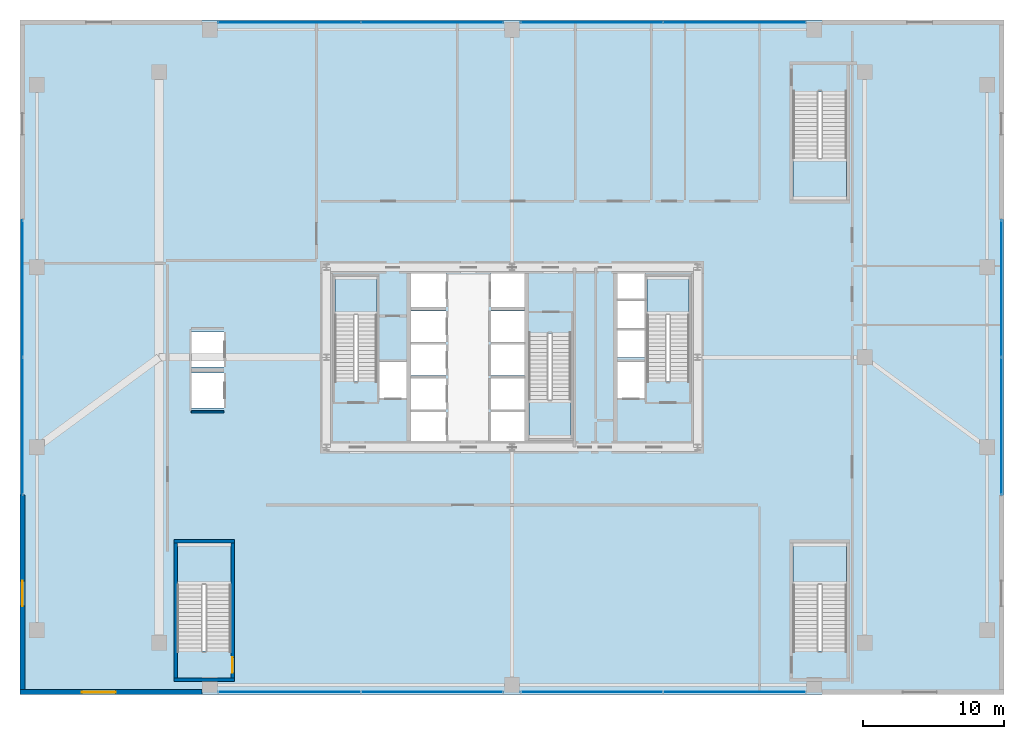
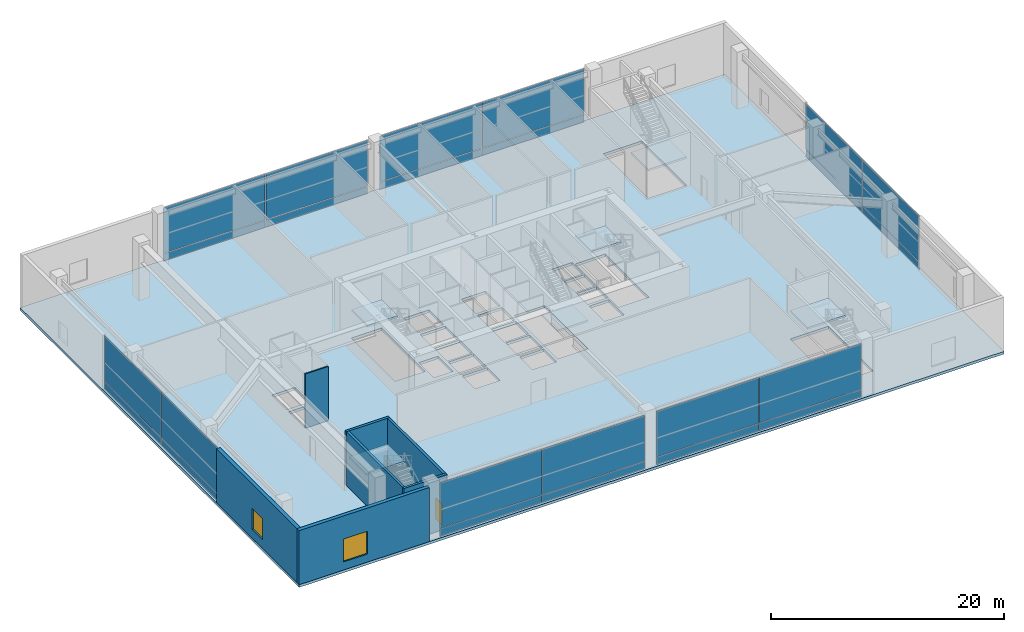
# One storey, part 32 of 39: 24 plates, 7 slabs, 7 walls, 2 windows, 1 door, 3 openings, 12 elements without a shape of their own.
"""IFC4 building model written with IfcOpenShell, lengths in metres."""

from ifc_helpers import new_model, si_unit, direction, frame, frame_2d, origin, origin_2d, place, context, subcontext, project, spatial, polyline, rectangle, outline, extrude, source, transform, mapped, material, layer, layer_set, type_object, element, fill, aggregate, save


model = new_model("IFC4")

# Units and contexts
model_context = context("Model", 3, precision=1e-05, world=origin(), true_north=direction((0.0, 1.0)))
body_context = subcontext(model_context, "Body", "Model", "MODEL_VIEW")
ifc_project = project(units=[si_unit("LENGTHUNIT", "METRE"), si_unit("AREAUNIT", "SQUARE_METRE"), si_unit("VOLUMEUNIT", "CUBIC_METRE"), si_unit("PLANEANGLEUNIT", "RADIAN"), si_unit("MASSUNIT", "GRAM", prefix="KILO"), si_unit("THERMODYNAMICTEMPERATUREUNIT", "KELVIN"), si_unit("POWERUNIT", "WATT")], contexts=[model_context])

# Site, building, storey
site_placement = place(None, origin())
site = spatial("IfcSite", under=ifc_project, at=site_placement, CompositionType="ELEMENT")
building_placement = place(site_placement, origin())
building = spatial("IfcBuilding", under=site, at=building_placement, Name="Yuzanri Waterfront Tower", CompositionType="ELEMENT")
storey_placement = place(building_placement, frame((0.0, 0.0, 19.800048828125)))
storey = spatial("IfcBuildingStorey", under=building, at=storey_placement, Name="L05", CompositionType="ELEMENT", Elevation=19.800048828125)

# Stair, slab
ifc_material_1 = material(Name="Concrete C40", Category="concrete")
stair_type_1 = type_object("IfcStairType", Name="Concrete C40 Core Dogleg Exit Stair", PredefinedType="HALF_TURN_STAIR", material=ifc_material_1)
stair_1_placement = place(storey_placement, origin())
stair_1 = element("IfcStair", 1, at=stair_1_placement, inside=storey, type_object=stair_type_1, Name="L05 Smoke-Proof Core Stair ST-01", PredefinedType="HALF_TURN_STAIR")
ifc_material_2 = material(Name="Concrete C40", Category="concrete")
ifc_layer_1 = layer(ifc_material_2, 0.179931640625)
ifc_layer_set_1 = layer_set([ifc_layer_1], Name="Concrete C40")
slab_type_1 = type_object("IfcSlabType", Name="Concrete C40 Stair Half-Landing Slab 180", PredefinedType="LANDING", material=ifc_layer_set_1)
slab_1_placement = place(storey_placement, frame((0.0, 0.0, 2.800048828125)))
slab_1 = element("IfcSlab", 2, at=slab_1_placement, type_object=slab_type_1, Name="ST-01 landing 1", PredefinedType="LANDING", context=body_context, shape_type="SweptSolid", body=[
    extrude(outline(polyline([(27.39990234375, 28.800048828125), (27.39990234375, 31.580078125), (24.39990234375, 31.580078125), (24.39990234375, 28.800048828125), (27.39990234375, 28.800048828125)])), origin(), (0.0, 0.0, 1.0), 0.199951171875),
])
aggregate(stair_1, [slab_1])

stair_2_placement = place(storey_placement, origin())
stair_2 = element("IfcStair", 3, at=stair_2_placement, inside=storey, type_object=stair_type_1, Name="L05 Smoke-Proof Core Stair ST-02", PredefinedType="HALF_TURN_STAIR")
slab_2_placement = place(storey_placement, frame((0.0, 0.0, 2.800048828125)))
slab_2 = element("IfcSlab", 4, at=slab_2_placement, type_object=slab_type_1, Name="ST-02 landing 1", PredefinedType="LANDING", context=body_context, shape_type="SweptSolid", body=[
    extrude(outline(polyline([(49.60009765625, 28.800048828125), (49.60009765625, 31.580078125), (46.60009765625, 31.580078125), (46.60009765625, 28.800048828125), (49.60009765625, 28.800048828125)])), origin(), (0.0, 0.0, 1.0), 0.199951171875),
])
aggregate(stair_2, [slab_2])

stair_3_placement = place(storey_placement, origin())
stair_3 = element("IfcStair", 5, at=stair_3_placement, inside=storey, type_object=stair_type_1, Name="L05 Smoke-Proof Core Stair ST-03", PredefinedType="HALF_TURN_STAIR")
slab_3_placement = place(storey_placement, frame((0.0, 0.0, 2.800048828125)))
slab_3 = element("IfcSlab", 6, at=slab_3_placement, type_object=slab_type_1, Name="ST-03 landing 1", PredefinedType="LANDING", context=body_context, shape_type="SweptSolid", body=[
    extrude(outline(polyline([(38.199951171875, 22.800048828125), (38.199951171875, 20.02001953125), (41.199951171875, 20.02001953125), (41.199951171875, 22.800048828125), (38.199951171875, 22.800048828125)])), origin(), (0.0, 0.0, 1.0), 0.199951171875),
])
aggregate(stair_3, [slab_3])

ifc_material_3 = material(Name="Concrete C40", Category="concrete")
stair_type_2 = type_object("IfcStairType", Name="Concrete C40 Podium Dogleg Exit Stair", PredefinedType="HALF_TURN_STAIR", material=ifc_material_3)
stair_4_placement = place(storey_placement, origin())
stair_4 = element("IfcStair", 7, at=stair_4_placement, inside=storey, type_object=stair_type_2, Name="L05 Podium Public Exit Stair PST-01", PredefinedType="HALF_TURN_STAIR")
slab_4_placement = place(storey_placement, frame((0.0, 0.0, 2.800048828125)))
slab_4 = element("IfcSlab", 8, at=slab_4_placement, type_object=slab_type_1, Name="PST-01 landing 1", PredefinedType="LANDING", context=body_context, shape_type="SweptSolid", body=[
    extrude(outline(polyline([(17.0, 9.610107421875), (17.0, 12.60009765625), (13.199951171875, 12.60009765625), (13.199951171875, 9.610107421875), (17.0, 9.610107421875)])), origin(), (0.0, 0.0, 1.0), 0.199951171875),
])
aggregate(stair_4, [slab_4])

stair_5_placement = place(storey_placement, origin())
stair_5 = element("IfcStair", 9, at=stair_5_placement, inside=storey, type_object=stair_type_2, Name="L05 Podium Public Exit Stair PST-02", PredefinedType="HALF_TURN_STAIR")
slab_5_placement = place(storey_placement, frame((0.0, 0.0, 2.800048828125)))
slab_5 = element("IfcSlab", 10, at=slab_5_placement, type_object=slab_type_1, Name="PST-02 landing 1", PredefinedType="LANDING", context=body_context, shape_type="SweptSolid", body=[
    extrude(outline(polyline([(60.800048828125, 9.610107421875), (60.800048828125, 12.60009765625), (57.0, 12.60009765625), (57.0, 9.610107421875), (60.800048828125, 9.610107421875)])), origin(), (0.0, 0.0, 1.0), 0.199951171875),
])
aggregate(stair_5, [slab_5])

stair_6_placement = place(storey_placement, origin())
stair_6 = element("IfcStair", 11, at=stair_6_placement, inside=storey, type_object=stair_type_2, Name="L05 Podium Public Exit Stair PST-03", PredefinedType="HALF_TURN_STAIR")
slab_6_placement = place(storey_placement, frame((0.0, 0.0, 2.800048828125)))
slab_6 = element("IfcSlab", 12, at=slab_6_placement, type_object=slab_type_1, Name="PST-03 landing 1", PredefinedType="LANDING", context=body_context, shape_type="SweptSolid", body=[
    extrude(outline(polyline([(57.0, 39.989990234375), (57.0, 37.0), (60.800048828125, 37.0), (60.800048828125, 39.989990234375), (57.0, 39.989990234375)])), origin(), (0.0, 0.0, 1.0), 0.199951171875),
])
aggregate(stair_6, [slab_6])

# Slab
ifc_material_4 = material(Name="Concrete C45", Category="concrete")
ifc_layer_2 = layer(ifc_material_4, 0.280029296875)
ifc_layer_set_2 = layer_set([ifc_layer_2], Name="Concrete C45")
slab_type_2 = type_object("IfcSlabType", Name="Concrete C45 Podium and Refuge Structural Floor Slab 280", PredefinedType="FLOOR", material=ifc_layer_set_2)
slab_7_placement = place(storey_placement, frame((0.0, 0.0, -0.280029296875)))
element("IfcSlab", 13, at=slab_7_placement, inside=storey, type_object=slab_type_2, Name="L05 Main Structural Floor Slab", PredefinedType="FLOOR", context=body_context, shape_type="SweptSolid", body=[
    extrude(outline(polyline([(2.0, 1.800048828125), (72.0, 1.800048828125), (72.0, 49.800048828125), (2.0, 49.800048828125), (2.0, 1.800048828125)]), holes=[polyline([(27.39990234375, 24.10009765625), (27.39990234375, 31.580078125), (24.39990234375, 31.580078125), (24.39990234375, 24.10009765625), (27.39990234375, 24.10009765625)]), polyline([(49.60009765625, 24.10009765625), (49.60009765625, 31.580078125), (46.60009765625, 31.580078125), (46.60009765625, 24.10009765625), (49.60009765625, 24.10009765625)]), polyline([(38.199951171875, 27.5), (38.199951171875, 20.02001953125), (41.199951171875, 20.02001953125), (41.199951171875, 27.5), (38.199951171875, 27.5)]), polyline([(17.0, 4.909912109375), (17.0, 12.60009765625), (13.199951171875, 12.60009765625), (13.199951171875, 4.909912109375), (17.0, 4.909912109375)]), polyline([(60.800048828125, 4.909912109375), (60.800048828125, 12.60009765625), (57.0, 12.60009765625), (57.0, 4.909912109375), (60.800048828125, 4.909912109375)]), polyline([(57.0, 44.68994140625), (57.0, 37.0), (60.800048828125, 37.0), (60.800048828125, 44.68994140625), (57.0, 44.68994140625)]), polyline([(27.56005859375, 22.89990234375), (29.47998046875, 22.89990234375), (29.47998046875, 25.5), (27.56005859375, 25.5), (27.56005859375, 22.89990234375)]), polyline([(44.52001953125, 22.89990234375), (46.43994140625, 22.89990234375), (46.43994140625, 25.5), (44.52001953125, 25.5), (44.52001953125, 22.89990234375)]), polyline([(29.800048828125, 19.699951171875), (32.300048828125, 19.699951171875), (32.300048828125, 21.89990234375), (29.800048828125, 21.89990234375), (29.800048828125, 19.699951171875)]), polyline([(29.800048828125, 22.10009765625), (32.300048828125, 22.10009765625), (32.300048828125, 24.300048828125), (29.800048828125, 24.300048828125), (29.800048828125, 22.10009765625)]), polyline([(29.800048828125, 24.5), (32.300048828125, 24.5), (32.300048828125, 26.699951171875), (29.800048828125, 26.699951171875), (29.800048828125, 24.5)]), polyline([(29.800048828125, 26.89990234375), (32.300048828125, 26.89990234375), (32.300048828125, 29.10009765625), (29.800048828125, 29.10009765625), (29.800048828125, 26.89990234375)]), polyline([(29.800048828125, 29.39990234375), (32.300048828125, 29.39990234375), (32.300048828125, 31.89990234375), (29.800048828125, 31.89990234375), (29.800048828125, 29.39990234375)]), polyline([(35.5, 19.699951171875), (37.89990234375, 19.699951171875), (37.89990234375, 21.89990234375), (35.5, 21.89990234375), (35.5, 19.699951171875)]), polyline([(35.5, 22.10009765625), (37.89990234375, 22.10009765625), (37.89990234375, 24.300048828125), (35.5, 24.300048828125), (35.5, 22.10009765625)]), polyline([(35.5, 24.5), (37.89990234375, 24.5), (37.89990234375, 26.699951171875), (35.5, 26.699951171875), (35.5, 24.5)]), polyline([(35.5, 26.89990234375), (37.89990234375, 26.89990234375), (37.89990234375, 29.10009765625), (35.5, 29.10009765625), (35.5, 26.89990234375)]), polyline([(35.5, 29.39990234375), (37.89990234375, 29.39990234375), (37.89990234375, 31.89990234375), (35.5, 31.89990234375), (35.5, 29.39990234375)]), polyline([(44.5, 25.800048828125), (46.5, 25.800048828125), (46.5, 27.699951171875), (44.5, 27.699951171875), (44.5, 25.800048828125)]), polyline([(44.5, 27.89990234375), (46.5, 27.89990234375), (46.5, 29.800048828125), (44.5, 29.800048828125), (44.5, 27.89990234375)]), polyline([(44.5, 30.0), (46.5, 30.0), (46.5, 31.89990234375), (44.5, 31.89990234375), (44.5, 30.0)]), polyline([(14.199951171875, 22.199951171875), (16.5, 22.199951171875), (16.5, 24.699951171875), (14.199951171875, 24.699951171875), (14.199951171875, 22.199951171875)]), polyline([(14.199951171875, 25.10009765625), (16.5, 25.10009765625), (16.5, 27.60009765625), (14.199951171875, 27.60009765625), (14.199951171875, 25.10009765625)])]), origin(), (0.0, 0.0, 1.0), 0.280029296875),
])

# Curtain wall, plates
ifc_material_5 = material(Name="Anodized Architectural Bronze", Category="metal")
ifc_layer_3 = layer(ifc_material_5, 0.159912109375)
ifc_layer_set_3 = layer_set([ifc_layer_3], Name="Anodized Architectural Bronze")
curtain_wall_type = type_object("IfcCurtainWallType", Name="Anodized Bronze Podium Waterfront Double-Height Unitized Curtain Wall 8400", PredefinedType="NOTDEFINED", material=ifc_layer_set_3)
curtain_wall_1_placement = place(storey_placement, origin())
curtain_wall_1 = element("IfcCurtainWall", 14, at=curtain_wall_1_placement, inside=storey, type_object=curtain_wall_type, Name="L05 Curtain Wall CW-L05-W", PredefinedType="NOTDEFINED")
ifc_material_6 = material(Name="Anodized Architectural Bronze", Category="metal")
ifc_layer_4 = layer(ifc_material_6, 0.028076171875)
ifc_layer_set_4 = layer_set([ifc_layer_4], Name="Anodized Architectural Bronze")
plate_type_1 = type_object("IfcPlateType", Name="Bronze Insulated Spandrel Shadow-Box Panel 28", PredefinedType="CURTAIN_PANEL", material=ifc_layer_set_4)
shared_shape_1 = source(origin(), body_context, "Body", "SweptSolid", [
    extrude(rectangle(XDim=9.719970703125, YDim=0.028076171875, at=origin_2d()), origin(), (0.0, 0.0, 1.0), 0.739990234375),
])
plate_1_placement = place(storey_placement, frame((2.179931640625, 20.89990234375, 0.0498046875), z_axis=(0.0, 0.0, 1.0), x_axis=(0.0, 1.0, 0.0)))
plate_1 = element("IfcPlate", 15, at=plate_1_placement, type_object=plate_type_1, Name="CW-L05-W Spandrel Panel 01", PredefinedType="CURTAIN_PANEL", context=body_context, shape_type="MappedRepresentation", body=[
    mapped(shared_shape_1, transform((0.0, 0.0, 0.0), scale=1.0)),
])
plate_2_placement = place(storey_placement, frame((2.179931640625, 30.699951171875, 0.0498046875), z_axis=(0.0, 0.0, 1.0), x_axis=(0.0, 1.0, 0.0)))
plate_2 = element("IfcPlate", 16, at=plate_2_placement, type_object=plate_type_1, Name="CW-L05-W Spandrel Panel 02", PredefinedType="CURTAIN_PANEL", context=body_context, shape_type="MappedRepresentation", body=[
    mapped(shared_shape_1, transform((0.0, 0.0, 0.0), scale=1.0)),
])

curtain_wall_2_placement = place(storey_placement, origin())
curtain_wall_2 = element("IfcCurtainWall", 17, at=curtain_wall_2_placement, inside=storey, type_object=curtain_wall_type, Name="L05 Curtain Wall CW-L05-E", PredefinedType="NOTDEFINED")
plate_3_placement = place(storey_placement, frame((71.820068359375, 20.89990234375, 0.0498046875), z_axis=(0.0, 0.0, 1.0), x_axis=(0.0, 1.0, 0.0)))
plate_3 = element("IfcPlate", 18, at=plate_3_placement, type_object=plate_type_1, Name="CW-L05-E Spandrel Panel 01", PredefinedType="CURTAIN_PANEL", context=body_context, shape_type="MappedRepresentation", body=[
    mapped(shared_shape_1, transform((0.0, 0.0, 0.0), scale=1.0)),
])
plate_4_placement = place(storey_placement, frame((71.820068359375, 30.699951171875, 0.0498046875), z_axis=(0.0, 0.0, 1.0), x_axis=(0.0, 1.0, 0.0)))
plate_4 = element("IfcPlate", 19, at=plate_4_placement, type_object=plate_type_1, Name="CW-L05-E Spandrel Panel 02", PredefinedType="CURTAIN_PANEL", context=body_context, shape_type="MappedRepresentation", body=[
    mapped(shared_shape_1, transform((0.0, 0.0, 0.0), scale=1.0)),
])

curtain_wall_3_placement = place(storey_placement, origin())
curtain_wall_3 = element("IfcCurtainWall", 20, at=curtain_wall_3_placement, inside=storey, type_object=curtain_wall_type, Name="L05 Curtain Wall CW-L05-S1", PredefinedType="NOTDEFINED")
shared_shape_2 = source(origin(), body_context, "Body", "SweptSolid", [
    extrude(rectangle(XDim=10.10009765625, YDim=0.028076171875, at=origin_2d()), origin(), (0.0, 0.0, 1.0), 0.739990234375),
])
plate_5_placement = place(storey_placement, frame((21.159912109375, 1.97998046875, 0.0498046875), z_axis=(0.0, 0.0, 1.0), x_axis=(1.0, 0.0, 0.0)))
plate_5 = element("IfcPlate", 21, at=plate_5_placement, type_object=plate_type_1, Name="CW-L05-S1 Spandrel Panel 01", PredefinedType="CURTAIN_PANEL", context=body_context, shape_type="MappedRepresentation", body=[
    mapped(shared_shape_2, transform((0.0, 0.0, 0.0), scale=1.0)),
])
plate_6_placement = place(storey_placement, frame((31.340087890625, 1.97998046875, 0.0498046875), z_axis=(0.0, 0.0, 1.0), x_axis=(1.0, 0.0, 0.0)))
plate_6 = element("IfcPlate", 22, at=plate_6_placement, type_object=plate_type_1, Name="CW-L05-S1 Spandrel Panel 02", PredefinedType="CURTAIN_PANEL", context=body_context, shape_type="MappedRepresentation", body=[
    mapped(shared_shape_2, transform((0.0, 0.0, 0.0), scale=1.0)),
])

curtain_wall_4_placement = place(storey_placement, origin())
curtain_wall_4 = element("IfcCurtainWall", 23, at=curtain_wall_4_placement, inside=storey, type_object=curtain_wall_type, Name="L05 Curtain Wall CW-L05-S2", PredefinedType="NOTDEFINED")
plate_7_placement = place(storey_placement, frame((42.659912109375, 1.97998046875, 0.0498046875), z_axis=(0.0, 0.0, 1.0), x_axis=(1.0, 0.0, 0.0)))
plate_7 = element("IfcPlate", 24, at=plate_7_placement, type_object=plate_type_1, Name="CW-L05-S2 Spandrel Panel 01", PredefinedType="CURTAIN_PANEL", context=body_context, shape_type="MappedRepresentation", body=[
    mapped(shared_shape_2, transform((0.0, 0.0, 0.0), scale=1.0)),
])
plate_8_placement = place(storey_placement, frame((52.840087890625, 1.97998046875, 0.0498046875), z_axis=(0.0, 0.0, 1.0), x_axis=(1.0, 0.0, 0.0)))
plate_8 = element("IfcPlate", 25, at=plate_8_placement, type_object=plate_type_1, Name="CW-L05-S2 Spandrel Panel 02", PredefinedType="CURTAIN_PANEL", context=body_context, shape_type="MappedRepresentation", body=[
    mapped(shared_shape_2, transform((0.0, 0.0, 0.0), scale=1.0)),
])

curtain_wall_5_placement = place(storey_placement, origin())
curtain_wall_5 = element("IfcCurtainWall", 26, at=curtain_wall_5_placement, inside=storey, type_object=curtain_wall_type, Name="L05 Curtain Wall CW-L05-N1", PredefinedType="NOTDEFINED")
plate_9_placement = place(storey_placement, frame((21.159912109375, 49.6201171875, 0.0498046875), z_axis=(0.0, 0.0, 1.0), x_axis=(1.0, 0.0, 0.0)))
plate_9 = element("IfcPlate", 27, at=plate_9_placement, type_object=plate_type_1, Name="CW-L05-N1 Spandrel Panel 01", PredefinedType="CURTAIN_PANEL", context=body_context, shape_type="MappedRepresentation", body=[
    mapped(shared_shape_2, transform((0.0, 0.0, 0.0), scale=1.0)),
])
plate_10_placement = place(storey_placement, frame((31.340087890625, 49.6201171875, 0.0498046875), z_axis=(0.0, 0.0, 1.0), x_axis=(1.0, 0.0, 0.0)))
plate_10 = element("IfcPlate", 28, at=plate_10_placement, type_object=plate_type_1, Name="CW-L05-N1 Spandrel Panel 02", PredefinedType="CURTAIN_PANEL", context=body_context, shape_type="MappedRepresentation", body=[
    mapped(shared_shape_2, transform((0.0, 0.0, 0.0), scale=1.0)),
])

curtain_wall_6_placement = place(storey_placement, origin())
curtain_wall_6 = element("IfcCurtainWall", 29, at=curtain_wall_6_placement, inside=storey, type_object=curtain_wall_type, Name="L05 Curtain Wall CW-L05-N2", PredefinedType="NOTDEFINED")
plate_11_placement = place(storey_placement, frame((42.659912109375, 49.6201171875, 0.0498046875), z_axis=(0.0, 0.0, 1.0), x_axis=(1.0, 0.0, 0.0)))
plate_11 = element("IfcPlate", 30, at=plate_11_placement, type_object=plate_type_1, Name="CW-L05-N2 Spandrel Panel 01", PredefinedType="CURTAIN_PANEL", context=body_context, shape_type="MappedRepresentation", body=[
    mapped(shared_shape_2, transform((0.0, 0.0, 0.0), scale=1.0)),
])
plate_12_placement = place(storey_placement, frame((52.840087890625, 49.6201171875, 0.0498046875), z_axis=(0.0, 0.0, 1.0), x_axis=(1.0, 0.0, 0.0)))
plate_12 = element("IfcPlate", 31, at=plate_12_placement, type_object=plate_type_1, Name="CW-L05-N2 Spandrel Panel 02", PredefinedType="CURTAIN_PANEL", context=body_context, shape_type="MappedRepresentation", body=[
    mapped(shared_shape_2, transform((0.0, 0.0, 0.0), scale=1.0)),
])

# Plate
ifc_material_7 = material(Name="Double-Silver Low-E Insulated Glass", Category="glass")
ifc_layer_5 = layer(ifc_material_7, 0.035888671875)
ifc_layer_set_5 = layer_set([ifc_layer_5], Name="Double-Silver Low-E Insulated Glass")
plate_type_2 = type_object("IfcPlateType", Name="Double Silver Low-E Insulated Vision Glass Panel 36", PredefinedType="CURTAIN_PANEL", material=ifc_layer_set_5)
shared_shape_3 = source(origin(), body_context, "Body", "SweptSolid", [
    extrude(rectangle(XDim=10.10009765625, YDim=0.035888671875, at=origin_2d()), origin(), (0.0, 0.0, 1.0), 4.780029296875),
])
plate_13_placement = place(storey_placement, frame((21.159912109375, 1.97998046875, 0.85009765625), z_axis=(0.0, 0.0, 1.0), x_axis=(1.0, 0.0, 0.0)))
plate_13 = element("IfcPlate", 32, at=plate_13_placement, type_object=plate_type_2, Name="CW-L05-S1 Vision Glass Panel 01", PredefinedType="CURTAIN_PANEL", context=body_context, shape_type="MappedRepresentation", body=[
    mapped(shared_shape_3, transform((0.0, 0.0, 0.0), scale=1.0)),
])

plate_14_placement = place(storey_placement, frame((31.340087890625, 1.97998046875, 0.85009765625), z_axis=(0.0, 0.0, 1.0), x_axis=(1.0, 0.0, 0.0)))
plate_14 = element("IfcPlate", 33, at=plate_14_placement, type_object=plate_type_2, Name="CW-L05-S1 Vision Glass Panel 02", PredefinedType="CURTAIN_PANEL", context=body_context, shape_type="MappedRepresentation", body=[
    mapped(shared_shape_3, transform((0.0, 0.0, 0.0), scale=1.0)),
])

aggregate(curtain_wall_3, [plate_5, plate_13, plate_6, plate_14])

plate_15_placement = place(storey_placement, frame((42.659912109375, 1.97998046875, 0.85009765625), z_axis=(0.0, 0.0, 1.0), x_axis=(1.0, 0.0, 0.0)))
plate_15 = element("IfcPlate", 34, at=plate_15_placement, type_object=plate_type_2, Name="CW-L05-S2 Vision Glass Panel 01", PredefinedType="CURTAIN_PANEL", context=body_context, shape_type="MappedRepresentation", body=[
    mapped(shared_shape_3, transform((0.0, 0.0, 0.0), scale=1.0)),
])

plate_16_placement = place(storey_placement, frame((52.840087890625, 1.97998046875, 0.85009765625), z_axis=(0.0, 0.0, 1.0), x_axis=(1.0, 0.0, 0.0)))
plate_16 = element("IfcPlate", 35, at=plate_16_placement, type_object=plate_type_2, Name="CW-L05-S2 Vision Glass Panel 02", PredefinedType="CURTAIN_PANEL", context=body_context, shape_type="MappedRepresentation", body=[
    mapped(shared_shape_3, transform((0.0, 0.0, 0.0), scale=1.0)),
])

aggregate(curtain_wall_4, [plate_7, plate_15, plate_8, plate_16])

plate_17_placement = place(storey_placement, frame((21.159912109375, 49.6201171875, 0.85009765625), z_axis=(0.0, 0.0, 1.0), x_axis=(1.0, 0.0, 0.0)))
plate_17 = element("IfcPlate", 36, at=plate_17_placement, type_object=plate_type_2, Name="CW-L05-N1 Vision Glass Panel 01", PredefinedType="CURTAIN_PANEL", context=body_context, shape_type="MappedRepresentation", body=[
    mapped(shared_shape_3, transform((0.0, 0.0, 0.0), scale=1.0)),
])

plate_18_placement = place(storey_placement, frame((31.340087890625, 49.6201171875, 0.85009765625), z_axis=(0.0, 0.0, 1.0), x_axis=(1.0, 0.0, 0.0)))
plate_18 = element("IfcPlate", 37, at=plate_18_placement, type_object=plate_type_2, Name="CW-L05-N1 Vision Glass Panel 02", PredefinedType="CURTAIN_PANEL", context=body_context, shape_type="MappedRepresentation", body=[
    mapped(shared_shape_3, transform((0.0, 0.0, 0.0), scale=1.0)),
])

aggregate(curtain_wall_5, [plate_9, plate_17, plate_10, plate_18])

plate_19_placement = place(storey_placement, frame((42.659912109375, 49.6201171875, 0.85009765625), z_axis=(0.0, 0.0, 1.0), x_axis=(1.0, 0.0, 0.0)))
plate_19 = element("IfcPlate", 38, at=plate_19_placement, type_object=plate_type_2, Name="CW-L05-N2 Vision Glass Panel 01", PredefinedType="CURTAIN_PANEL", context=body_context, shape_type="MappedRepresentation", body=[
    mapped(shared_shape_3, transform((0.0, 0.0, 0.0), scale=1.0)),
])

plate_20_placement = place(storey_placement, frame((52.840087890625, 49.6201171875, 0.85009765625), z_axis=(0.0, 0.0, 1.0), x_axis=(1.0, 0.0, 0.0)))
plate_20 = element("IfcPlate", 39, at=plate_20_placement, type_object=plate_type_2, Name="CW-L05-N2 Vision Glass Panel 02", PredefinedType="CURTAIN_PANEL", context=body_context, shape_type="MappedRepresentation", body=[
    mapped(shared_shape_3, transform((0.0, 0.0, 0.0), scale=1.0)),
])

aggregate(curtain_wall_6, [plate_11, plate_19, plate_12, plate_20])

shared_shape_4 = source(origin(), body_context, "Body", "SweptSolid", [
    extrude(rectangle(XDim=9.719970703125, YDim=0.035888671875, at=origin_2d()), origin(), (0.0, 0.0, 1.0), 4.780029296875),
])
plate_21_placement = place(storey_placement, frame((2.179931640625, 20.89990234375, 0.85009765625), z_axis=(0.0, 0.0, 1.0), x_axis=(0.0, 1.0, 0.0)))
plate_21 = element("IfcPlate", 40, at=plate_21_placement, type_object=plate_type_2, Name="CW-L05-W Vision Glass Panel 01", PredefinedType="CURTAIN_PANEL", context=body_context, shape_type="MappedRepresentation", body=[
    mapped(shared_shape_4, transform((0.0, 0.0, 0.0), scale=1.0)),
])

plate_22_placement = place(storey_placement, frame((2.179931640625, 30.699951171875, 0.85009765625), z_axis=(0.0, 0.0, 1.0), x_axis=(0.0, 1.0, 0.0)))
plate_22 = element("IfcPlate", 41, at=plate_22_placement, type_object=plate_type_2, Name="CW-L05-W Vision Glass Panel 02", PredefinedType="CURTAIN_PANEL", context=body_context, shape_type="MappedRepresentation", body=[
    mapped(shared_shape_4, transform((0.0, 0.0, 0.0), scale=1.0)),
])

aggregate(curtain_wall_1, [plate_1, plate_21, plate_2, plate_22])

plate_23_placement = place(storey_placement, frame((71.820068359375, 20.89990234375, 0.85009765625), z_axis=(0.0, 0.0, 1.0), x_axis=(0.0, 1.0, 0.0)))
plate_23 = element("IfcPlate", 42, at=plate_23_placement, type_object=plate_type_2, Name="CW-L05-E Vision Glass Panel 01", PredefinedType="CURTAIN_PANEL", context=body_context, shape_type="MappedRepresentation", body=[
    mapped(shared_shape_4, transform((0.0, 0.0, 0.0), scale=1.0)),
])

plate_24_placement = place(storey_placement, frame((71.820068359375, 30.699951171875, 0.85009765625), z_axis=(0.0, 0.0, 1.0), x_axis=(0.0, 1.0, 0.0)))
plate_24 = element("IfcPlate", 43, at=plate_24_placement, type_object=plate_type_2, Name="CW-L05-E Vision Glass Panel 02", PredefinedType="CURTAIN_PANEL", context=body_context, shape_type="MappedRepresentation", body=[
    mapped(shared_shape_4, transform((0.0, 0.0, 0.0), scale=1.0)),
])

aggregate(curtain_wall_2, [plate_3, plate_23, plate_4, plate_24])

# Wall, opening, window
ifc_material_8 = material(Name="Honed Chongqing Dark Basalt Stone", Category="masonry")
ifc_layer_6 = layer(ifc_material_8, 0.360107421875)
ifc_layer_set_6 = layer_set([ifc_layer_6], Name="Honed Chongqing Dark Basalt Stone")
wall_type_1 = type_object("IfcWallType", Name="Honed Basalt Stone Masonry-Frame Spandrel Wall 360", PredefinedType="SOLIDWALL", material=ifc_layer_set_6)
wall_1_placement = place(storey_placement, frame((2.0, 1.97998046875, 0.0), z_axis=(0.0, 0.0, 1.0), x_axis=(1.0, 0.0, 0.0)))
wall_1 = element("IfcWall", 44, at=wall_1_placement, inside=storey, type_object=wall_type_1, Name="L05 South-West Basalt Pier", PredefinedType="SOLIDWALL", context=body_context, shape_type="SweptSolid", body=[
    extrude(rectangle(XDim=12.929931640625, YDim=0.360107421875, at=frame_2d((6.46484375, 0.0))), origin(), (0.0, 0.0, 1.0), 5.679931640625),
])
opening_1_placement = place(wall_1_placement, frame((4.39990234375, 0.0, 0.85009765625)))
opening_1 = element("IfcOpeningElement", 45, at=opening_1_placement, cuts=wall_1, Name="Opening WN-03", PredefinedType="OPENING", context=body_context, shape_type="SweptSolid", body=[
    extrude(rectangle(XDim=2.39990234375, YDim=2.39990234375, at=frame_2d((1.199951171875, 1.199951171875))), frame((0.0, 0.19482421875, 0.0), z_axis=(0.0, -1.0, 0.0), x_axis=(1.0, 0.0, 0.0)), (0.0, 0.0, 1.0), 0.389892578125),
])
ifc_material_9 = material(Name="Double-Silver Low-E Insulated Glass", Category="glass")
window_type_1 = type_object("IfcWindowType", Name="Anodized Bronze Podium Waterfront Picture Window 2400x2400", PartitioningType="SINGLE_PANEL", PredefinedType="WINDOW", material=ifc_material_9)
shared_shape_5 = source(origin(), body_context, "Body", "SweptSolid", [
    extrude(rectangle(XDim=2.39990234375, YDim=2.39990234375, at=frame_2d((1.199951171875, 1.199951171875))), frame((0.0, 0.030029296875, 0.0), z_axis=(0.0, -1.0, 0.0), x_axis=(1.0, 0.0, 0.0)), (0.0, 0.0, 1.0), 0.06005859375),
])
window_1_placement = place(opening_1_placement, origin())
window_1 = element("IfcWindow", 46, at=window_1_placement, inside=storey, type_object=window_type_1, Name="L05 SW Waterfront Window", OverallHeight=2.39990234375, OverallWidth=2.39990234375, PartitioningType="SINGLE_PANEL", PredefinedType="WINDOW", context=body_context, shape_type="MappedRepresentation", body=[
    mapped(shared_shape_5, transform((0.0, 0.0, 0.0), scale=1.0)),
])
fill(opening_1, window_1)

wall_2_placement = place(storey_placement, frame((2.179931640625, 2.159912109375, 0.0), z_axis=(0.0, 0.0, 1.0), x_axis=(0.0, 1.0, 0.0)))
wall_2 = element("IfcWall", 47, at=wall_2_placement, inside=storey, type_object=wall_type_1, Name="L05 W South Basalt Pier", PredefinedType="SOLIDWALL", context=body_context, shape_type="SweptSolid", body=[
    extrude(rectangle(XDim=13.840087890625, YDim=0.360107421875, at=frame_2d((6.919921875, 0.0))), origin(), (0.0, 0.0, 1.0), 5.679931640625),
])
opening_2_placement = place(wall_2_placement, frame((5.93994140625, 0.0, 0.89990234375)))
opening_2 = element("IfcOpeningElement", 48, at=opening_2_placement, cuts=wall_2, Name="Opening WN-01", PredefinedType="OPENING", context=body_context, shape_type="SweptSolid", body=[
    extrude(rectangle(XDim=1.800048828125, YDim=2.199951171875, at=frame_2d((0.89990234375, 1.10009765625))), frame((0.0, 0.19482421875, 0.0), z_axis=(0.0, -1.0, 0.0), x_axis=(1.0, 0.0, 0.0)), (0.0, 0.0, 1.0), 0.389892578125),
])
ifc_material_10 = material(Name="Double-Silver Low-E Insulated Glass", Category="glass")
window_type_2 = type_object("IfcWindowType", Name="Anodized Bronze Recessed Bronze Frame Double Casement Window 1800x2200", PartitioningType="SINGLE_PANEL", PredefinedType="WINDOW", material=ifc_material_10)
shared_shape_6 = source(origin(), body_context, "Body", "SweptSolid", [
    extrude(rectangle(XDim=1.800048828125, YDim=2.199951171875, at=frame_2d((0.89990234375, 1.10009765625))), frame((0.0, 0.030029296875, 0.0), z_axis=(0.0, -1.0, 0.0), x_axis=(1.0, 0.0, 0.0)), (0.0, 0.0, 1.0), 0.06005859375),
])
window_2_placement = place(opening_2_placement, origin())
window_2 = element("IfcWindow", 49, at=window_2_placement, inside=storey, type_object=window_type_2, Name="L05 WS Window", OverallHeight=2.199951171875, OverallWidth=1.800048828125, PartitioningType="SINGLE_PANEL", PredefinedType="WINDOW", context=body_context, shape_type="MappedRepresentation", body=[
    mapped(shared_shape_6, transform((0.0, 0.0, 0.0), scale=1.0)),
])
fill(opening_2, window_2)

# Wall, opening, door
ifc_material_11 = material(Name="Concrete C40", Category="concrete")
ifc_layer_7 = layer(ifc_material_11, 0.25)
ifc_layer_set_7 = layer_set([ifc_layer_7], Name="Concrete C40")
wall_type_2 = type_object("IfcWallType", Name="Smoke-Proof Stair and Lift Shaft Wall 250", PredefinedType="SOLIDWALL", material=ifc_layer_set_7)
wall_3_placement = place(storey_placement, frame((17.125, 3.0, 0.0), z_axis=(0.0, 0.0, 1.0), x_axis=(0.0, 1.0, 0.0)))
wall_3 = element("IfcWall", 50, at=wall_3_placement, inside=storey, type_object=wall_type_2, Name="L05 Shaft Wall PSTW-L05-PST-01-E", PredefinedType="SOLIDWALL", context=body_context, shape_type="SweptSolid", body=[
    extrude(rectangle(XDim=9.60009765625, YDim=0.25, at=frame_2d((4.800048828125, 0.0))), origin(), (0.0, 0.0, 1.0), 5.679931640625),
])
opening_3_placement = place(wall_3_placement, frame((0.35009765625, 0.0, 0.0)))
opening_3 = element("IfcOpeningElement", 51, at=opening_3_placement, cuts=wall_3, Name="Opening FD-1100", PredefinedType="OPENING", context=body_context, shape_type="SweptSolid", body=[
    extrude(rectangle(XDim=1.10009765625, YDim=2.199951171875, at=frame_2d((0.550048828125, 1.10009765625))), frame((0.0, 0.139892578125, 0.0), z_axis=(0.0, -1.0, 0.0), x_axis=(1.0, 0.0, 0.0)), (0.0, 0.0, 1.0), 0.27978515625),
])
ifc_material_12 = material(Name="Painted Galvanized Fire Steel", Category="steel")
door_type = type_object("IfcDoorType", Name="Smoke-Proof Stair and Lobby Fire Door 1100x2200", OperationType="NOTDEFINED", PredefinedType="DOOR", material=ifc_material_12)
shared_shape_7 = source(origin(), body_context, "Body", "SweptSolid", [
    extrude(rectangle(XDim=1.10009765625, YDim=2.199951171875, at=frame_2d((0.550048828125, 1.10009765625))), frame((0.0, 0.02490234375, 0.0), z_axis=(0.0, -1.0, 0.0), x_axis=(1.0, 0.0, 0.0)), (0.0, 0.0, 1.0), 0.050048828125),
])
door_placement = place(opening_3_placement, origin())
door = element("IfcDoor", 52, at=door_placement, inside=storey, type_object=door_type, Name="L05 PST-01 Stair Door", OperationType="SINGLE_SWING_LEFT", OverallHeight=2.199951171875, OverallWidth=1.10009765625, PredefinedType="DOOR", context=body_context, shape_type="MappedRepresentation", body=[
    mapped(shared_shape_7, transform((0.0, 0.0, 0.0), scale=1.0)),
])
fill(opening_3, door)

# Walls
ifc_material_13 = material(Name="Concrete C40", Category="concrete")
ifc_layer_8 = layer(ifc_material_13, 0.139892578125)
ifc_layer_set_8 = layer_set([ifc_layer_8], Name="Concrete C40")
wall_type_3 = type_object("IfcWallType", Name="Core Stair Liner and Hoistway Shaft Wall 140", PredefinedType="SOLIDWALL", material=ifc_layer_set_8)
shared_shape_8 = source(origin(), body_context, "Body", "SweptSolid", [
    extrude(rectangle(XDim=2.300048828125, YDim=0.139892578125, at=frame_2d((1.14990234375, 0.0))), origin(), (0.0, 0.0, 1.0), 5.679931640625),
])
wall_4_placement = place(storey_placement, frame((14.199951171875, 21.929931640625, 0.0), z_axis=(0.0, 0.0, 1.0), x_axis=(1.0, 0.0, 0.0)))
element("IfcWall", 53, at=wall_4_placement, inside=storey, type_object=wall_type_3, Name="L05 Retail Lift South Shaft Wall", PredefinedType="SOLIDWALL", context=body_context, shape_type="MappedRepresentation", body=[
    mapped(shared_shape_8, transform((0.0, 0.0, 0.0), scale=1.0)),
])
shared_shape_9 = source(origin(), body_context, "Body", "SweptSolid", [
    extrude(rectangle(XDim=4.300048828125, YDim=0.25, at=frame_2d((2.14990234375, 0.0))), origin(), (0.0, 0.0, 1.0), 5.679931640625),
])
for number, where, z_axis, x_axis, name in (
    (54, (12.949951171875, 2.875, 0.0), (0.0, 0.0, 1.0), (1.0, 0.0, 0.0), "L05 PST-01 South Wall"),
    (55, (12.949951171875, 12.72509765625, 0.0), (0.0, 0.0, 1.0), (1.0, 0.0, 0.0), "L05 PST-01 North Wall"),
):
    element("IfcWall", number, at=place(storey_placement, frame(where, z_axis=z_axis, x_axis=x_axis)), inside=storey, type_object=wall_type_2, Name=name, PredefinedType="SOLIDWALL", context=body_context, shape_type="MappedRepresentation", body=[
        mapped(shared_shape_9, transform((0.0, 0.0, 0.0), scale=1.0)),
    ])
shared_shape_10 = source(origin(), body_context, "Body", "SweptSolid", [
    extrude(rectangle(XDim=9.60009765625, YDim=0.25, at=frame_2d((4.800048828125, 0.0))), origin(), (0.0, 0.0, 1.0), 5.679931640625),
])
wall_5_placement = place(storey_placement, frame((13.074951171875, 3.0, 0.0), z_axis=(0.0, 0.0, 1.0), x_axis=(0.0, 1.0, 0.0)))
element("IfcWall", 56, at=wall_5_placement, inside=storey, type_object=wall_type_2, Name="L05 Shaft Wall PSTW-L05-PST-01-W", PredefinedType="SOLIDWALL", context=body_context, shape_type="MappedRepresentation", body=[
    mapped(shared_shape_10, transform((0.0, 0.0, 0.0), scale=1.0)),
])

save(model, "model.ifc")
